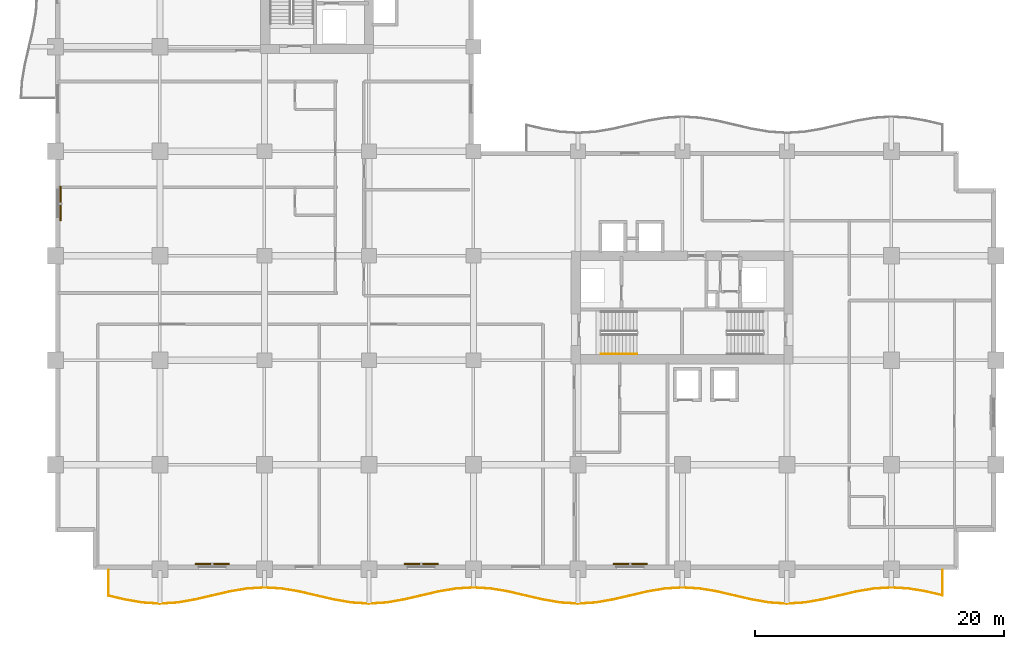
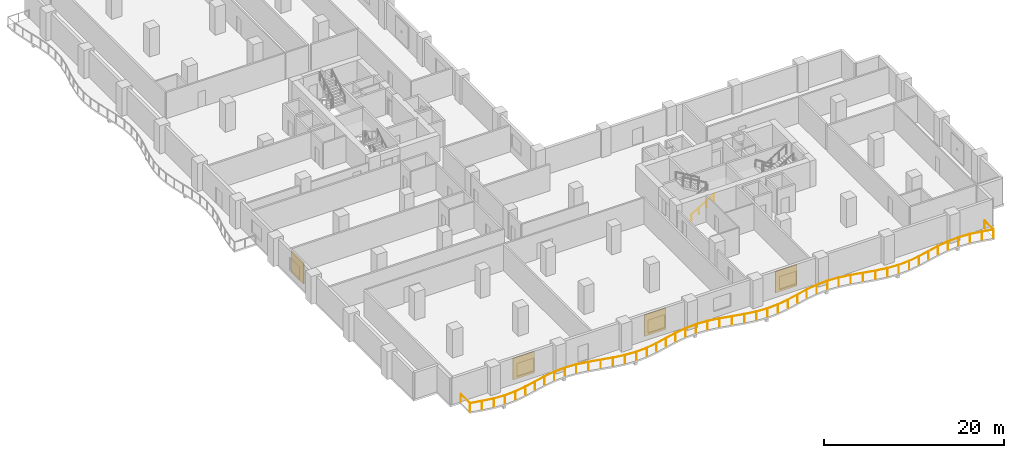
# One storey, part 19 of 22: 4 shading devices, 2 railings.
"""IFC4 building model written with IfcOpenShell, lengths in metres."""

from ifc_helpers import new_model, si_unit, direction, frame, origin, origin_2d, place, context, subcontext, project, spatial, rectangle, circle, extrude, material, layer, layer_set, type_object, element, save


model = new_model("IFC4")

# Units and contexts
model_context = context("Model", 3, precision=1e-05, world=origin(), true_north=direction((0.0, 1.0)))
body_context = subcontext(model_context, "Body", "Model", "MODEL_VIEW")
ifc_project = project(units=[si_unit("LENGTHUNIT", "METRE"), si_unit("AREAUNIT", "SQUARE_METRE"), si_unit("VOLUMEUNIT", "CUBIC_METRE"), si_unit("PLANEANGLEUNIT", "RADIAN"), si_unit("MASSUNIT", "GRAM", prefix="KILO")], contexts=[model_context])

# Site, building, storey
site_placement = place(None, origin())
site = spatial("IfcSite", under=ifc_project, at=site_placement, CompositionType="ELEMENT")
building_placement = place(site_placement, origin())
building = spatial("IfcBuilding", under=site, at=building_placement, Name="Koriwani Terraces Tower", CompositionType="ELEMENT")
storey_placement = place(building_placement, frame((0.0, 0.0, 141.800048828125)))
storey = spatial("IfcBuildingStorey", under=building, at=storey_placement, Name="L34", CompositionType="ELEMENT", Elevation=141.800048828125)

# Railings
ifc_material_1 = material(Name="Steel ASTM A572 Grade 50", Category="steel")
railing_type_1 = type_object("IfcRailingType", Name="GUARD_BALUSTRADE_1150", PredefinedType="BALUSTRADE", material=ifc_material_1)
railing_1_placement = place(storey_placement, frame((4.280029296875, -0.080078125, 0.0)))
element("IfcRailing", 1, at=railing_1_placement, inside=storey, type_object=railing_type_1, Name="L34 Balcony Perimeter Safety Balustrade (S)", PredefinedType="BALUSTRADE", context=body_context, shape_type="SweptSolid", body=[
    extrude(circle(Radius=0.02392578125, at=origin_2d()), frame((0.0, 0.0, 1.1259765625), z_axis=(0.0, -1.0, 0.0), x_axis=(1.0, 0.0, 0.0)), (0.0, 0.0, 1.0), 2.056396484375),
    extrude(circle(Radius=0.02392578125, at=origin_2d()), frame((0.0, -2.056396484375, 1.1259765625), z_axis=(0.974099301219, -0.226120656653, 0.0), x_axis=(0.226120656653, 0.974099301219, 0.0)), (0.0, 0.0, 1.0), 1.37109375),
    extrude(circle(Radius=0.02392578125, at=origin_2d()), frame((1.335693359375, -2.366455078125, 1.1259765625), z_axis=(0.985866118171, -0.167535062128, 0.0), x_axis=(0.167535062128, 0.985866118171, 0.0)), (0.0, 0.0, 1.0), 1.41357421875),
    extrude(circle(Radius=0.02392578125, at=origin_2d()), frame((2.729248046875, -2.603271484375, 1.1259765625), z_axis=(0.998074335174, -0.062029198499, 0.0), x_axis=(0.062029198499, 0.998074335174, 0.0)), (0.0, 0.0, 1.0), 1.393310546875),
    extrude(circle(Radius=0.02392578125, at=origin_2d()), frame((4.119873046875, -2.689697265625, 1.1259765625), z_axis=(0.998075009192, 0.062018352335, 0.0), x_axis=(-0.062018352335, 0.998075009192, 0.0)), (0.0, 0.0, 1.0), 1.3935546875),
    extrude(circle(Radius=0.02392578125, at=origin_2d()), frame((5.5107421875, -2.603271484375, 1.1259765625), z_axis=(0.985861269125, 0.167563594016, 0.0), x_axis=(-0.167563594016, 0.985861269125, 0.0)), (0.0, 0.0, 1.0), 1.413330078125),
    extrude(circle(Radius=0.02392578125, at=origin_2d()), frame((6.904052734375, -2.366455078125, 1.1259765625), z_axis=(0.974109892753, 0.226075024805, 0.0), x_axis=(-0.226075024805, 0.974109892753, 0.0)), (0.0, 0.0, 1.0), 2.874755859375),
    extrude(circle(Radius=0.02392578125, at=origin_2d()), frame((9.704345703125, -1.716552734375, 1.1259765625), z_axis=(0.985866306337, 0.167533954852, 0.0), x_axis=(-0.167533954852, 0.985866306337, 0.0)), (0.0, 0.0, 1.0), 1.4267578125),
    extrude(circle(Radius=0.02392578125, at=origin_2d()), frame((11.11083984375, -1.4775390625, 1.1259765625), z_axis=(0.9980820707, 0.061904605217, 0.0), x_axis=(-0.061904605217, 0.9980820707, 0.0)), (0.0, 0.0, 1.0), 1.411865234375),
    extrude(circle(Radius=0.02392578125, at=origin_2d()), frame((12.52001953125, -1.39013671875, 1.1259765625), z_axis=(0.9980820707, -0.061904605217, 0.0), x_axis=(0.061904605217, 0.9980820707, 0.0)), (0.0, 0.0, 1.0), 1.411865234375),
    extrude(circle(Radius=0.02392578125, at=origin_2d()), frame((13.92919921875, -1.4775390625, 1.1259765625), z_axis=(0.985866306337, -0.167533954852, 0.0), x_axis=(0.167533954852, 0.985866306337, 0.0)), (0.0, 0.0, 1.0), 1.4267578125),
    extrude(circle(Radius=0.02392578125, at=origin_2d()), frame((15.335693359375, -1.716552734375, 1.1259765625), z_axis=(0.974105551615, -0.226093729043, 0.0), x_axis=(0.226093729043, 0.974105551615, 0.0)), (0.0, 0.0, 1.0), 2.87451171875),
    extrude(circle(Radius=0.02392578125, at=origin_2d()), frame((18.1357421875, -2.366455078125, 1.1259765625), z_axis=(0.985861269125, -0.167563594016, 0.0), x_axis=(0.167563594016, 0.985861269125, 0.0)), (0.0, 0.0, 1.0), 1.413330078125),
    extrude(circle(Radius=0.02392578125, at=origin_2d()), frame((19.529052734375, -2.603271484375, 1.1259765625), z_axis=(0.998075009192, -0.062018352335, 0.0), x_axis=(0.062018352335, 0.998075009192, 0.0)), (0.0, 0.0, 1.0), 1.3935546875),
    extrude(circle(Radius=0.02392578125, at=origin_2d()), frame((20.919921875, -2.689697265625, 1.1259765625), z_axis=(0.998075009192, 0.062018352335, 0.0), x_axis=(-0.062018352335, 0.998075009192, 0.0)), (0.0, 0.0, 1.0), 1.3935546875),
    extrude(circle(Radius=0.02392578125, at=origin_2d()), frame((22.310791015625, -2.603271484375, 1.1259765625), z_axis=(0.985861269125, 0.167563594016, 0.0), x_axis=(-0.167563594016, 0.985861269125, 0.0)), (0.0, 0.0, 1.0), 1.413330078125),
    extrude(circle(Radius=0.02392578125, at=origin_2d()), frame((23.7041015625, -2.366455078125, 1.1259765625), z_axis=(0.974105551615, 0.226093729043, 0.0), x_axis=(-0.226093729043, 0.974105551615, 0.0)), (0.0, 0.0, 1.0), 2.87451171875),
    extrude(circle(Radius=0.02392578125, at=origin_2d()), frame((26.504150390625, -1.716552734375, 1.1259765625), z_axis=(0.985871108269, 0.16750569507, 0.0), x_axis=(-0.16750569507, 0.985871108269, 0.0)), (0.0, 0.0, 1.0), 1.427001953125),
    extrude(circle(Radius=0.02392578125, at=origin_2d()), frame((27.910888671875, -1.4775390625, 1.1259765625), z_axis=(0.9980820707, 0.061904605217, 0.0), x_axis=(-0.061904605217, 0.9980820707, 0.0)), (0.0, 0.0, 1.0), 1.411865234375),
    extrude(circle(Radius=0.02392578125, at=origin_2d()), frame((29.320068359375, -1.39013671875, 1.1259765625), z_axis=(0.9980820707, -0.061904605217, 0.0), x_axis=(0.061904605217, 0.9980820707, 0.0)), (0.0, 0.0, 1.0), 1.411865234375),
    extrude(circle(Radius=0.02392578125, at=origin_2d()), frame((30.729248046875, -1.4775390625, 1.1259765625), z_axis=(0.985866306337, -0.167533954852, 0.0), x_axis=(0.167533954852, 0.985866306337, 0.0)), (0.0, 0.0, 1.0), 1.4267578125),
    extrude(circle(Radius=0.02392578125, at=origin_2d()), frame((32.1357421875, -1.716552734375, 1.1259765625), z_axis=(0.974105551615, -0.226093729043, 0.0), x_axis=(0.226093729043, 0.974105551615, 0.0)), (0.0, 0.0, 1.0), 2.87451171875),
    extrude(circle(Radius=0.02392578125, at=origin_2d()), frame((34.935791015625, -2.366455078125, 1.1259765625), z_axis=(0.985861269125, -0.167563594016, 0.0), x_axis=(0.167563594016, 0.985861269125, 0.0)), (0.0, 0.0, 1.0), 1.413330078125),
    extrude(circle(Radius=0.02392578125, at=origin_2d()), frame((36.3291015625, -2.603271484375, 1.1259765625), z_axis=(0.998075009192, -0.062018352335, 0.0), x_axis=(0.062018352335, 0.998075009192, 0.0)), (0.0, 0.0, 1.0), 1.3935546875),
    extrude(circle(Radius=0.02392578125, at=origin_2d()), frame((37.719970703125, -2.689697265625, 1.1259765625), z_axis=(0.998075009192, 0.062018352335, 0.0), x_axis=(-0.062018352335, 0.998075009192, 0.0)), (0.0, 0.0, 1.0), 1.3935546875),
    extrude(circle(Radius=0.02392578125, at=origin_2d()), frame((39.11083984375, -2.603271484375, 1.1259765625), z_axis=(0.985861269125, 0.167563594016, 0.0), x_axis=(-0.167563594016, 0.985861269125, 0.0)), (0.0, 0.0, 1.0), 1.413330078125),
    extrude(circle(Radius=0.02392578125, at=origin_2d()), frame((40.504150390625, -2.366455078125, 1.1259765625), z_axis=(0.974105551615, 0.226093729043, 0.0), x_axis=(-0.226093729043, 0.974105551615, 0.0)), (0.0, 0.0, 1.0), 2.87451171875),
    extrude(circle(Radius=0.02392578125, at=origin_2d()), frame((43.30419921875, -1.716552734375, 1.1259765625), z_axis=(0.985866306337, 0.167533954852, 0.0), x_axis=(-0.167533954852, 0.985866306337, 0.0)), (0.0, 0.0, 1.0), 1.4267578125),
    extrude(circle(Radius=0.02392578125, at=origin_2d()), frame((44.710693359375, -1.4775390625, 1.1259765625), z_axis=(0.9980820707, 0.061904605217, 0.0), x_axis=(-0.061904605217, 0.9980820707, 0.0)), (0.0, 0.0, 1.0), 1.411865234375),
    extrude(circle(Radius=0.02392578125, at=origin_2d()), frame((46.119873046875, -1.39013671875, 1.1259765625), z_axis=(0.9980820707, -0.061904605217, 0.0), x_axis=(0.061904605217, 0.9980820707, 0.0)), (0.0, 0.0, 1.0), 1.411865234375),
    extrude(circle(Radius=0.02392578125, at=origin_2d()), frame((47.529052734375, -1.4775390625, 1.1259765625), z_axis=(0.985871108269, -0.16750569507, 0.0), x_axis=(0.16750569507, 0.985871108269, 0.0)), (0.0, 0.0, 1.0), 1.427001953125),
    extrude(circle(Radius=0.02392578125, at=origin_2d()), frame((48.935791015625, -1.716552734375, 1.1259765625), z_axis=(0.974105551615, -0.226093729043, 0.0), x_axis=(0.226093729043, 0.974105551615, 0.0)), (0.0, 0.0, 1.0), 2.87451171875),
    extrude(circle(Radius=0.02392578125, at=origin_2d()), frame((51.73583984375, -2.366455078125, 1.1259765625), z_axis=(0.985861269125, -0.167563594016, 0.0), x_axis=(0.167563594016, 0.985861269125, 0.0)), (0.0, 0.0, 1.0), 1.413330078125),
    extrude(circle(Radius=0.02392578125, at=origin_2d()), frame((53.129150390625, -2.603271484375, 1.1259765625), z_axis=(0.998075009192, -0.062018352335, 0.0), x_axis=(0.062018352335, 0.998075009192, 0.0)), (0.0, 0.0, 1.0), 1.3935546875),
    extrude(circle(Radius=0.02392578125, at=origin_2d()), frame((54.52001953125, -2.689697265625, 1.1259765625), z_axis=(0.998075009192, 0.062018352335, 0.0), x_axis=(-0.062018352335, 0.998075009192, 0.0)), (0.0, 0.0, 1.0), 1.3935546875),
    extrude(circle(Radius=0.02392578125, at=origin_2d()), frame((55.910888671875, -2.603271484375, 1.1259765625), z_axis=(0.985861269125, 0.167563594016, 0.0), x_axis=(-0.167563594016, 0.985861269125, 0.0)), (0.0, 0.0, 1.0), 1.413330078125),
    extrude(circle(Radius=0.02392578125, at=origin_2d()), frame((57.30419921875, -2.366455078125, 1.1259765625), z_axis=(0.974105551615, 0.226093729043, 0.0), x_axis=(-0.226093729043, 0.974105551615, 0.0)), (0.0, 0.0, 1.0), 2.87451171875),
    extrude(circle(Radius=0.02392578125, at=origin_2d()), frame((60.104248046875, -1.716552734375, 1.1259765625), z_axis=(0.985866306337, 0.167533954852, 0.0), x_axis=(-0.167533954852, 0.985866306337, 0.0)), (0.0, 0.0, 1.0), 1.4267578125),
    extrude(circle(Radius=0.02392578125, at=origin_2d()), frame((61.5107421875, -1.4775390625, 1.1259765625), z_axis=(0.9980820707, 0.061904605217, 0.0), x_axis=(-0.061904605217, 0.9980820707, 0.0)), (0.0, 0.0, 1.0), 1.411865234375),
    extrude(circle(Radius=0.02392578125, at=origin_2d()), frame((62.919921875, -1.39013671875, 1.1259765625), z_axis=(0.9980820707, -0.061904605217, 0.0), x_axis=(0.061904605217, 0.9980820707, 0.0)), (0.0, 0.0, 1.0), 1.411865234375),
    extrude(circle(Radius=0.02392578125, at=origin_2d()), frame((64.3291015625, -1.4775390625, 1.1259765625), z_axis=(0.985866306337, -0.167533954852, 0.0), x_axis=(0.167533954852, 0.985866306337, 0.0)), (0.0, 0.0, 1.0), 1.4267578125),
    extrude(circle(Radius=0.02392578125, at=origin_2d()), frame((65.735595703125, -1.716552734375, 1.1259765625), z_axis=(0.974110823857, -0.226071012836, 0.0), x_axis=(0.226071012836, 0.974110823857, 0.0)), (0.0, 0.0, 1.0), 1.339111328125),
    extrude(circle(Radius=0.02392578125, at=origin_2d()), frame((67.0400390625, -2.019287109375, 1.1259765625), z_axis=(0.0, 1.0, 0.0), x_axis=(-1.0, 0.0, 0.0)), (0.0, 0.0, 1.0), 2.019287109375),
    extrude(circle(Radius=0.02099609375, at=origin_2d()), origin(), (0.0, 0.0, 1.0), 1.101806640625),
    extrude(circle(Radius=0.02099609375, at=origin_2d()), frame((0.0, -2.056396484375, 0.0)), (0.0, 0.0, 1.0), 1.101806640625),
    extrude(circle(Radius=0.02099609375, at=origin_2d()), frame((1.335693359375, -2.366455078125, 0.0)), (0.0, 0.0, 1.0), 1.101806640625),
    extrude(circle(Radius=0.02099609375, at=origin_2d()), frame((2.729248046875, -2.603271484375, 0.0)), (0.0, 0.0, 1.0), 1.101806640625),
    extrude(circle(Radius=0.02099609375, at=origin_2d()), frame((4.119873046875, -2.689697265625, 0.0)), (0.0, 0.0, 1.0), 1.101806640625),
    extrude(circle(Radius=0.02099609375, at=origin_2d()), frame((5.5107421875, -2.603271484375, 0.0)), (0.0, 0.0, 1.0), 1.101806640625),
    extrude(circle(Radius=0.02099609375, at=origin_2d()), frame((6.904052734375, -2.366455078125, 0.0)), (0.0, 0.0, 1.0), 1.101806640625),
    extrude(circle(Radius=0.02099609375, at=origin_2d()), frame((8.30419921875, -2.04150390625, 0.0)), (0.0, 0.0, 1.0), 1.101806640625),
    extrude(circle(Radius=0.02099609375, at=origin_2d()), frame((9.704345703125, -1.716552734375, 0.0)), (0.0, 0.0, 1.0), 1.101806640625),
    extrude(circle(Radius=0.02099609375, at=origin_2d()), frame((11.11083984375, -1.4775390625, 0.0)), (0.0, 0.0, 1.0), 1.101806640625),
    extrude(circle(Radius=0.02099609375, at=origin_2d()), frame((12.52001953125, -1.39013671875, 0.0)), (0.0, 0.0, 1.0), 1.101806640625),
    extrude(circle(Radius=0.02099609375, at=origin_2d()), frame((13.92919921875, -1.4775390625, 0.0)), (0.0, 0.0, 1.0), 1.101806640625),
    extrude(circle(Radius=0.02099609375, at=origin_2d()), frame((15.335693359375, -1.716552734375, 0.0)), (0.0, 0.0, 1.0), 1.101806640625),
    extrude(circle(Radius=0.02099609375, at=origin_2d()), frame((16.73583984375, -2.04150390625, 0.0)), (0.0, 0.0, 1.0), 1.101806640625),
    extrude(circle(Radius=0.02099609375, at=origin_2d()), frame((18.1357421875, -2.366455078125, 0.0)), (0.0, 0.0, 1.0), 1.101806640625),
    extrude(circle(Radius=0.02099609375, at=origin_2d()), frame((19.529052734375, -2.603271484375, 0.0)), (0.0, 0.0, 1.0), 1.101806640625),
    extrude(circle(Radius=0.02099609375, at=origin_2d()), frame((20.919921875, -2.689697265625, 0.0)), (0.0, 0.0, 1.0), 1.101806640625),
    extrude(circle(Radius=0.02099609375, at=origin_2d()), frame((22.310791015625, -2.603271484375, 0.0)), (0.0, 0.0, 1.0), 1.101806640625),
    extrude(circle(Radius=0.02099609375, at=origin_2d()), frame((23.7041015625, -2.366455078125, 0.0)), (0.0, 0.0, 1.0), 1.101806640625),
    extrude(circle(Radius=0.02099609375, at=origin_2d()), frame((25.10400390625, -2.04150390625, 0.0)), (0.0, 0.0, 1.0), 1.101806640625),
    extrude(circle(Radius=0.02099609375, at=origin_2d()), frame((26.504150390625, -1.716552734375, 0.0)), (0.0, 0.0, 1.0), 1.101806640625),
    extrude(circle(Radius=0.02099609375, at=origin_2d()), frame((27.910888671875, -1.4775390625, 0.0)), (0.0, 0.0, 1.0), 1.101806640625),
    extrude(circle(Radius=0.02099609375, at=origin_2d()), frame((29.320068359375, -1.39013671875, 0.0)), (0.0, 0.0, 1.0), 1.101806640625),
    extrude(circle(Radius=0.02099609375, at=origin_2d()), frame((30.729248046875, -1.4775390625, 0.0)), (0.0, 0.0, 1.0), 1.101806640625),
    extrude(circle(Radius=0.02099609375, at=origin_2d()), frame((32.1357421875, -1.716552734375, 0.0)), (0.0, 0.0, 1.0), 1.101806640625),
    extrude(circle(Radius=0.02099609375, at=origin_2d()), frame((33.53564453125, -2.04150390625, 0.0)), (0.0, 0.0, 1.0), 1.101806640625),
    extrude(circle(Radius=0.02099609375, at=origin_2d()), frame((34.935791015625, -2.366455078125, 0.0)), (0.0, 0.0, 1.0), 1.101806640625),
    extrude(circle(Radius=0.02099609375, at=origin_2d()), frame((36.3291015625, -2.603271484375, 0.0)), (0.0, 0.0, 1.0), 1.101806640625),
    extrude(circle(Radius=0.02099609375, at=origin_2d()), frame((37.719970703125, -2.689697265625, 0.0)), (0.0, 0.0, 1.0), 1.101806640625),
    extrude(circle(Radius=0.02099609375, at=origin_2d()), frame((39.11083984375, -2.603271484375, 0.0)), (0.0, 0.0, 1.0), 1.101806640625),
    extrude(circle(Radius=0.02099609375, at=origin_2d()), frame((40.504150390625, -2.366455078125, 0.0)), (0.0, 0.0, 1.0), 1.101806640625),
    extrude(circle(Radius=0.02099609375, at=origin_2d()), frame((41.904296875, -2.04150390625, 0.0)), (0.0, 0.0, 1.0), 1.101806640625),
    extrude(circle(Radius=0.02099609375, at=origin_2d()), frame((43.30419921875, -1.716552734375, 0.0)), (0.0, 0.0, 1.0), 1.101806640625),
    extrude(circle(Radius=0.02099609375, at=origin_2d()), frame((44.710693359375, -1.4775390625, 0.0)), (0.0, 0.0, 1.0), 1.101806640625),
    extrude(circle(Radius=0.02099609375, at=origin_2d()), frame((46.119873046875, -1.39013671875, 0.0)), (0.0, 0.0, 1.0), 1.101806640625),
    extrude(circle(Radius=0.02099609375, at=origin_2d()), frame((47.529052734375, -1.4775390625, 0.0)), (0.0, 0.0, 1.0), 1.101806640625),
    extrude(circle(Radius=0.02099609375, at=origin_2d()), frame((48.935791015625, -1.716552734375, 0.0)), (0.0, 0.0, 1.0), 1.101806640625),
    extrude(circle(Radius=0.02099609375, at=origin_2d()), frame((50.3359375, -2.04150390625, 0.0)), (0.0, 0.0, 1.0), 1.101806640625),
    extrude(circle(Radius=0.02099609375, at=origin_2d()), frame((51.73583984375, -2.366455078125, 0.0)), (0.0, 0.0, 1.0), 1.101806640625),
    extrude(circle(Radius=0.02099609375, at=origin_2d()), frame((53.129150390625, -2.603271484375, 0.0)), (0.0, 0.0, 1.0), 1.101806640625),
    extrude(circle(Radius=0.02099609375, at=origin_2d()), frame((54.52001953125, -2.689697265625, 0.0)), (0.0, 0.0, 1.0), 1.101806640625),
    extrude(circle(Radius=0.02099609375, at=origin_2d()), frame((55.910888671875, -2.603271484375, 0.0)), (0.0, 0.0, 1.0), 1.101806640625),
    extrude(circle(Radius=0.02099609375, at=origin_2d()), frame((57.30419921875, -2.366455078125, 0.0)), (0.0, 0.0, 1.0), 1.101806640625),
    extrude(circle(Radius=0.02099609375, at=origin_2d()), frame((58.7041015625, -2.04150390625, 0.0)), (0.0, 0.0, 1.0), 1.101806640625),
    extrude(circle(Radius=0.02099609375, at=origin_2d()), frame((60.104248046875, -1.716552734375, 0.0)), (0.0, 0.0, 1.0), 1.101806640625),
    extrude(circle(Radius=0.02099609375, at=origin_2d()), frame((61.5107421875, -1.4775390625, 0.0)), (0.0, 0.0, 1.0), 1.101806640625),
    extrude(circle(Radius=0.02099609375, at=origin_2d()), frame((62.919921875, -1.39013671875, 0.0)), (0.0, 0.0, 1.0), 1.101806640625),
    extrude(circle(Radius=0.02099609375, at=origin_2d()), frame((64.3291015625, -1.4775390625, 0.0)), (0.0, 0.0, 1.0), 1.101806640625),
    extrude(circle(Radius=0.02099609375, at=origin_2d()), frame((65.735595703125, -1.716552734375, 0.0)), (0.0, 0.0, 1.0), 1.101806640625),
    extrude(circle(Radius=0.02099609375, at=origin_2d()), frame((67.0400390625, -2.019287109375, 0.0)), (0.0, 0.0, 1.0), 1.101806640625),
    extrude(circle(Radius=0.02099609375, at=origin_2d()), frame((67.0400390625, 0.0, 0.0)), (0.0, 0.0, 1.0), 1.101806640625),
])
railing_type_2 = type_object("IfcRailingType", Name="HANDRAIL_STAIR_920", PredefinedType="HANDRAIL", material=ifc_material_1)
railing_2_placement = place(storey_placement, frame((43.85009765625, 17.300048828125, 0.172607421875)))
element("IfcRailing", 2, at=railing_2_placement, inside=storey, type_object=railing_type_2, Name="L34 ST-E1 stair handrail 1", PredefinedType="HANDRAIL", context=body_context, shape_type="SweptSolid", body=[
    extrude(circle(Radius=0.02392578125, at=origin_2d()), frame((0.0, 0.0, 0.8759765625), z_axis=(0.859141464434, 0.0, 0.511738159696), x_axis=(0.0, 1.0, 0.0)), (0.0, 0.0, 1.0), 3.375244140625),
    extrude(circle(Radius=0.02099609375, at=origin_2d()), origin(), (0.0, 0.0, 1.0), 0.851806640625),
    extrude(circle(Radius=0.02099609375, at=origin_2d()), frame((0.966552734375, 0.0, 0.57568359375)), (0.0, 0.0, 1.0), 0.851806640625),
    extrude(circle(Radius=0.02099609375, at=origin_2d()), frame((1.933349609375, 0.0, 1.151611328125)), (0.0, 0.0, 1.0), 0.851806640625),
    extrude(circle(Radius=0.02099609375, at=origin_2d()), frame((2.89990234375, 0.0, 1.727294921875)), (0.0, 0.0, 1.0), 0.851806640625),
])

# Shading devices
ifc_material_2 = material(Name="Extruded Terracotta Clay", Category="masonry")
ifc_layer = layer(ifc_material_2, 0.1201171875, Name="Extruded Terracotta Clay")
ifc_layer_set = layer_set([ifc_layer], Name="Extruded Terracotta Clay")
shading_device_type = type_object("IfcShadingDeviceType", Name="TERRACOTTA_BAGUETTE_SCREEN_2800", PredefinedType="USERDEFINED", material=ifc_layer_set)
for number, where, z_axis, x_axis, name in (
    (3, (0.405029296875, 29.39990234375, 0.324951171875), (0.0, 0.0, 1.0), (0.0, 1.0, 0.0), "L34 Extruded Terracotta Baguette Screen (W-9)"),
    (4, (12.60009765625, 0.405029296875, 0.324951171875), (0.0, 0.0, 1.0), (-1.0, 0.0, 0.0), "L34 Extruded Terracotta Baguette Screen (S-3)"),
    (5, (29.39990234375, 0.405029296875, 0.324951171875), (0.0, 0.0, 1.0), (-1.0, 0.0, 0.0), "L34 Extruded Terracotta Baguette Screen (S-9)"),
    (6, (46.199951171875, 0.405029296875, 0.324951171875), (0.0, 0.0, 1.0), (-1.0, 0.0, 0.0), "L34 Extruded Terracotta Baguette Screen (S-15)"),
):
    element("IfcShadingDevice", number, at=place(storey_placement, frame(where, z_axis=z_axis, x_axis=x_axis)), inside=storey, type_object=shading_device_type, Name=name, ObjectType="BAGUETTE", PredefinedType="USERDEFINED", context=body_context, shape_type="SweptSolid", body=[
        extrude(rectangle(XDim=2.760009765625, YDim=0.1201171875, at=origin_2d()), origin(), (0.0, 0.0, 1.0), 2.89990234375),
    ])

save(model, "model.ifc")
